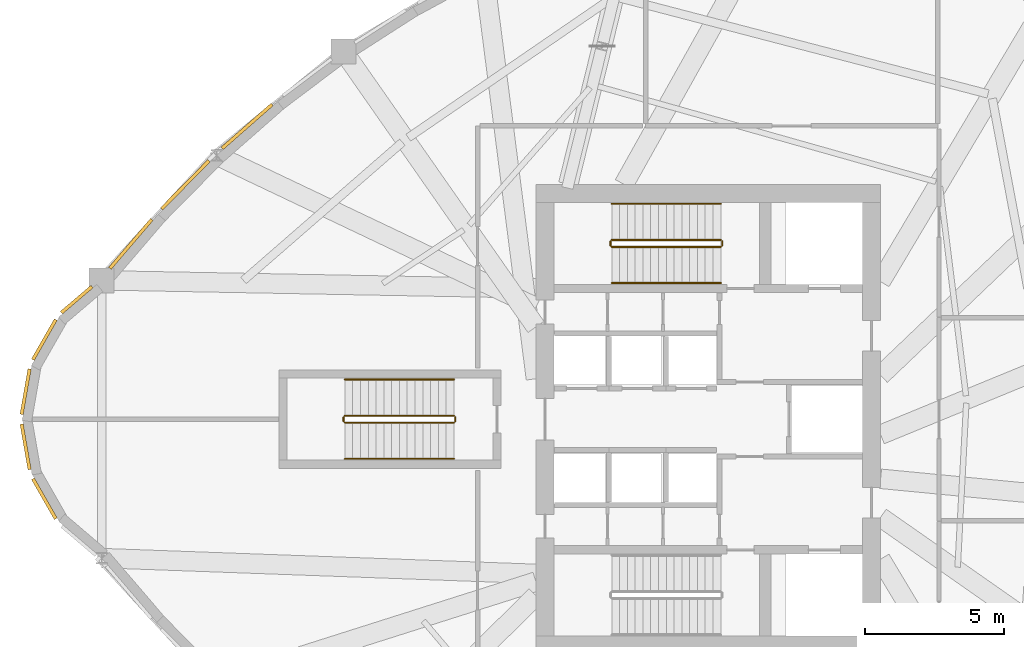
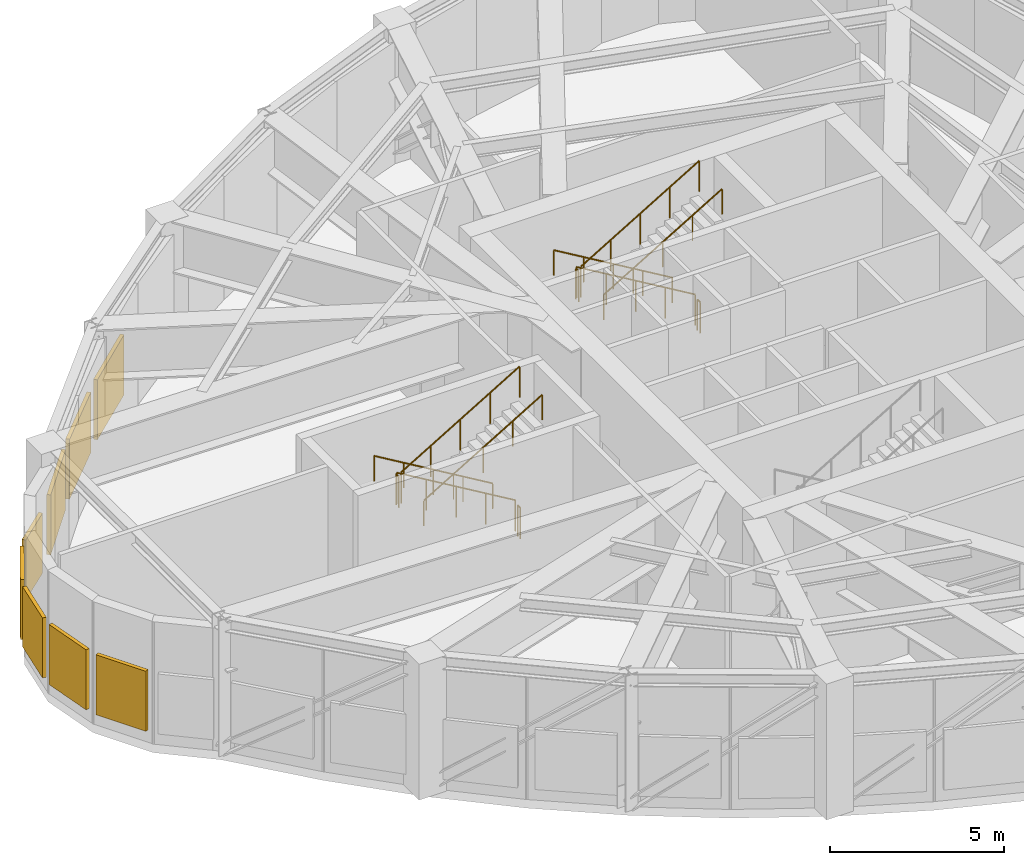
# One storey, part 8 of 9: 12 railings, 8 shading devices.
"""IFC4 building model written with IfcOpenShell, lengths in metres."""

from ifc_helpers import new_model, si_unit, direction, frame, origin, origin_2d, place, context, subcontext, project, spatial, rectangle, circle, extrude, source, transform, mapped, material, layer, layer_set, type_object, element, save


model = new_model("IFC4")

# Units and contexts
model_context = context("Model", 3, precision=1e-05, world=origin(), true_north=direction((0.0, 1.0)))
body_context = subcontext(model_context, "Body", "Model", "MODEL_VIEW")
ifc_project = project(units=[si_unit("LENGTHUNIT", "METRE"), si_unit("AREAUNIT", "SQUARE_METRE"), si_unit("VOLUMEUNIT", "CUBIC_METRE"), si_unit("PLANEANGLEUNIT", "RADIAN"), si_unit("MASSUNIT", "GRAM", prefix="KILO")], contexts=[model_context])

# Site, building, storey
site_placement = place(None, origin())
site = spatial("IfcSite", under=ifc_project, at=site_placement, CompositionType="ELEMENT")
building_placement = place(site_placement, origin())
building = spatial("IfcBuilding", under=site, at=building_placement, Name="Qafzar Sky-Pleat Residences", CompositionType="ELEMENT")
storey_placement = place(building_placement, frame((0.0, 0.0, 128.0)))
storey = spatial("IfcBuildingStorey", under=building, at=storey_placement, Name="L38", CompositionType="ELEMENT", Elevation=128.0)

# Shading devices
ifc_material_1 = material(Name="Anodised bronze aluminium acoustic louvre", Category="aluminium")
ifc_layer = layer(ifc_material_1, 0.1201171875)
ifc_layer_set = layer_set([ifc_layer], Name="Anodised bronze aluminium acoustic louvre")
shading_device_type = type_object("IfcShadingDeviceType", Name="SHD-LOUVRE-PLANT", PredefinedType="JALOUSIE", material=ifc_layer_set)
shared_shape_1 = source(origin(), body_context, "Body", "SweptSolid", [
    extrude(rectangle(XDim=1.44384765625, YDim=0.1201171875, at=origin_2d()), origin(), (0.0, 0.0, 1.0), 2.10009765625),
])
shading_device_1_placement = place(storey_placement, frame((7.631103515625, 30.3037109375, 0.449951171875), z_axis=(0.0, 0.0, 1.0), x_axis=(-0.761154082005, -0.648571093595, 0.0)))
element("IfcShadingDevice", 1, at=shading_device_1_placement, inside=storey, type_object=shading_device_type, Name="L38 Plant Acoustic Louvre 1", PredefinedType="JALOUSIE", context=body_context, shape_type="MappedRepresentation", body=[
    mapped(shared_shape_1, transform((0.0, 0.0, 0.0), x_axis=(1.0, 0.0, 0.0), y_axis=(0.0, 1.0, 0.0), z_axis=(0.0, 0.0, 1.0), scale=1.0)),
])
shared_shape_2 = source(origin(), body_context, "Body", "SweptSolid", [
    extrude(rectangle(XDim=1.658203125, YDim=0.1201171875, at=origin_2d()), origin(), (0.0, 0.0, 1.0), 2.10009765625),
])
for number, where, z_axis, x_axis, name in (
    (2, (6.4658203125, 28.861328125, 0.449951171875), (0.0, 0.0, 1.0), (-0.496024637538, -0.868308446898, 0.0), "L38 Plant Acoustic Louvre 2"),
    (3, (5.792236328125, 26.992919921875, 0.449951171875), (0.0, 0.0, 1.0), (-0.172169696941, -0.985067305038, 0.0), "L38 Plant Acoustic Louvre 3"),
    (4, (5.792236328125, 25.007080078125, 0.449951171875), (0.0, 0.0, 1.0), (0.172169696941, -0.985067305038, 0.0), "L38 Plant Acoustic Louvre 4"),
    (5, (6.4658203125, 23.138671875, 0.449951171875), (0.0, 0.0, 1.0), (0.496024637538, -0.868308446898, 0.0), "L38 Plant Acoustic Louvre 5"),
):
    element("IfcShadingDevice", number, at=place(storey_placement, frame(where, z_axis=z_axis, x_axis=x_axis)), inside=storey, type_object=shading_device_type, Name=name, PredefinedType="JALOUSIE", context=body_context, shape_type="MappedRepresentation", body=[
        mapped(shared_shape_2, transform((0.0, 0.0, 0.0), x_axis=(1.0, 0.0, 0.0), y_axis=(0.0, 1.0, 0.0), z_axis=(0.0, 0.0, 1.0), scale=1.0)),
    ])
shared_shape_3 = source(origin(), body_context, "Body", "SweptSolid", [
    extrude(rectangle(XDim=2.3916015625, YDim=0.1201171875, at=origin_2d()), origin(), (0.0, 0.0, 1.0), 2.10009765625),
])
shading_device_2_placement = place(storey_placement, frame((13.7587890625, 36.531494140625, 0.449951171875), z_axis=(0.0, 0.0, 1.0), x_axis=(-0.751446292476, -0.659794263027, 0.0)))
element("IfcShadingDevice", 6, at=shading_device_2_placement, inside=storey, type_object=shading_device_type, Name="L38 Plant Acoustic Louvre 46", PredefinedType="JALOUSIE", context=body_context, shape_type="MappedRepresentation", body=[
    mapped(shared_shape_3, transform((0.0, 0.0, 0.0), x_axis=(1.0, 0.0, 0.0), y_axis=(0.0, 1.0, 0.0), z_axis=(0.0, 0.0, 1.0), scale=1.0)),
])
shared_shape_4 = source(origin(), body_context, "Body", "SweptSolid", [
    extrude(rectangle(XDim=2.43115234375, YDim=0.1201171875, at=origin_2d()), origin(), (0.0, 0.0, 1.0), 2.10009765625),
])
shading_device_3_placement = place(storey_placement, frame((11.537109375, 34.432861328125, 0.449951171875), z_axis=(0.0, 0.0, 1.0), x_axis=(-0.70190494431, -0.712270629152, 0.0)))
element("IfcShadingDevice", 7, at=shading_device_3_placement, inside=storey, type_object=shading_device_type, Name="L38 Plant Acoustic Louvre 47", PredefinedType="JALOUSIE", context=body_context, shape_type="MappedRepresentation", body=[
    mapped(shared_shape_4, transform((0.0, 0.0, 0.0), x_axis=(1.0, 0.0, 0.0), y_axis=(0.0, 1.0, 0.0), z_axis=(0.0, 0.0, 1.0), scale=1.0)),
])
shared_shape_5 = source(origin(), body_context, "Body", "SweptSolid", [
    extrude(rectangle(XDim=2.314697265625, YDim=0.1201171875, at=origin_2d()), origin(), (0.0, 0.0, 1.0), 2.10009765625),
])
shading_device_4_placement = place(storey_placement, frame((9.577880859375, 32.30517578125, 0.449951171875), z_axis=(0.0, 0.0, 1.0), x_axis=(-0.650723061119, -0.759315150467, 0.0)))
element("IfcShadingDevice", 8, at=shading_device_4_placement, inside=storey, type_object=shading_device_type, Name="L38 Plant Acoustic Louvre 48", PredefinedType="JALOUSIE", context=body_context, shape_type="MappedRepresentation", body=[
    mapped(shared_shape_5, transform((0.0, 0.0, 0.0), x_axis=(1.0, 0.0, 0.0), y_axis=(0.0, 1.0, 0.0), z_axis=(0.0, 0.0, 1.0), scale=1.0)),
])

# Railings
ifc_material_2 = material(Name="Painted Steel S355 stair guardrail", Category="steel")
railing_type_1 = type_object("IfcRailingType", Name="RAIL-STAIR-GUARD", PredefinedType="GUARDRAIL", material=ifc_material_2)
shared_shape_6 = source(origin(), body_context, "Body", "SweptSolid", [
    extrude(circle(Radius=0.02392578125, at=origin_2d()), frame((0.0, 0.0, 1.076171875), z_axis=(0.0, -1.0, 0.0), x_axis=(1.0, 0.0, 0.0)), (0.0, 0.0, 1.0), 0.14990234375),
    extrude(circle(Radius=0.02099609375, at=origin_2d()), origin(), (0.0, 0.0, 1.0), 1.052001953125),
    extrude(circle(Radius=0.02099609375, at=origin_2d()), frame((0.0, -0.14990234375, 0.0)), (0.0, 0.0, 1.0), 1.052001953125),
])
for number, where, name in (
    (9, (26.830078125, 32.39990234375, 2.5), "L38 ST2 stair guard 2"),
    (10, (30.85009765625, 32.39990234375, 0.0), "L38 ST2 stair guard 4"),
    (11, (17.22998046875, 26.074951171875, 2.5), "L38 ST3 stair guard 2"),
    (12, (21.25, 26.074951171875, 0.0), "L38 ST3 stair guard 4"),
):
    element("IfcRailing", number, at=place(storey_placement, frame(where)), inside=storey, type_object=railing_type_1, Name=name, PredefinedType="GUARDRAIL", context=body_context, shape_type="MappedRepresentation", body=[
        mapped(shared_shape_6, transform((0.0, 0.0, 0.0), x_axis=(1.0, 0.0, 0.0), y_axis=(0.0, 1.0, 0.0), z_axis=(0.0, 0.0, 1.0), scale=1.0)),
    ])
shared_shape_7 = source(origin(), body_context, "Body", "SweptSolid", [
    extrude(circle(Radius=0.02392578125, at=origin_2d()), frame((0.0, 0.0, 1.076171875), z_axis=(-0.859310244771, 0.0, 0.511454693235), x_axis=(0.0, -1.0, 0.0)), (0.0, 0.0, 1.0), 4.56201171875),
    extrude(circle(Radius=0.02099609375, at=origin_2d()), origin(), (0.0, 0.0, 1.0), 1.052001953125),
    extrude(circle(Radius=0.02099609375, at=origin_2d()), frame((-0.97998046875, 0.0, 0.583251953125)), (0.0, 0.0, 1.0), 1.052001953125),
    extrude(circle(Radius=0.02099609375, at=origin_2d()), frame((-1.9599609375, 0.0, 1.16650390625)), (0.0, 0.0, 1.0), 1.052001953125),
    extrude(circle(Radius=0.02099609375, at=origin_2d()), frame((-2.940185546875, 0.0, 1.75)), (0.0, 0.0, 1.0), 1.052001953125),
    extrude(circle(Radius=0.02099609375, at=origin_2d()), frame((-3.920166015625, 0.0, 2.333251953125)), (0.0, 0.0, 1.0), 1.052001953125),
])
railing_1_placement = place(storey_placement, frame((30.800048828125, 32.449951171875, 0.166748046875)))
element("IfcRailing", 13, at=railing_1_placement, inside=storey, type_object=railing_type_1, Name="L38 ST2 stair guard 1", PredefinedType="GUARDRAIL", context=body_context, shape_type="MappedRepresentation", body=[
    mapped(shared_shape_7, transform((0.0, 0.0, 0.0), x_axis=(1.0, 0.0, 0.0), y_axis=(0.0, 1.0, 0.0), z_axis=(0.0, 0.0, 1.0), scale=1.0)),
])
shared_shape_8 = source(origin(), body_context, "Body", "SweptSolid", [
    extrude(circle(Radius=0.02392578125, at=origin_2d()), frame((0.0, 0.0, 1.076171875), z_axis=(0.859310244771, 0.0, 0.511454693235), x_axis=(0.0, 1.0, 0.0)), (0.0, 0.0, 1.0), 4.56201171875),
    extrude(circle(Radius=0.02099609375, at=origin_2d()), origin(), (0.0, 0.0, 1.0), 1.052001953125),
    extrude(circle(Radius=0.02099609375, at=origin_2d()), frame((0.97998046875, 0.0, 0.583251953125)), (0.0, 0.0, 1.0), 1.052001953125),
    extrude(circle(Radius=0.02099609375, at=origin_2d()), frame((1.9599609375, 0.0, 1.16650390625)), (0.0, 0.0, 1.0), 1.052001953125),
    extrude(circle(Radius=0.02099609375, at=origin_2d()), frame((2.940185546875, 0.0, 1.75)), (0.0, 0.0, 1.0), 1.052001953125),
    extrude(circle(Radius=0.02099609375, at=origin_2d()), frame((3.920166015625, 0.0, 2.333251953125)), (0.0, 0.0, 1.0), 1.052001953125),
])
railing_2_placement = place(storey_placement, frame((26.8798828125, 32.199951171875, 2.666748046875)))
element("IfcRailing", 14, at=railing_2_placement, inside=storey, type_object=railing_type_1, Name="L38 ST2 stair guard 3", PredefinedType="GUARDRAIL", context=body_context, shape_type="MappedRepresentation", body=[
    mapped(shared_shape_8, transform((0.0, 0.0, 0.0), x_axis=(1.0, 0.0, 0.0), y_axis=(0.0, 1.0, 0.0), z_axis=(0.0, 0.0, 1.0), scale=1.0)),
])
ifc_material_3 = material(Name="Brushed stainless steel handrail", Category="steel")
railing_type_2 = type_object("IfcRailingType", Name="RAIL-STAIR-HAND", PredefinedType="HANDRAIL", material=ifc_material_3)
shared_shape_9 = source(origin(), body_context, "Body", "SweptSolid", [
    extrude(circle(Radius=0.02392578125, at=origin_2d()), frame((0.0, 0.0, 0.8759765625), z_axis=(-0.859310244771, 0.0, 0.511454693235), x_axis=(0.0, -1.0, 0.0)), (0.0, 0.0, 1.0), 4.56201171875),
    extrude(circle(Radius=0.02099609375, at=origin_2d()), origin(), (0.0, 0.0, 1.0), 0.851806640625),
    extrude(circle(Radius=0.02099609375, at=origin_2d()), frame((-0.97998046875, 0.0, 0.583251953125)), (0.0, 0.0, 1.0), 0.851806640625),
    extrude(circle(Radius=0.02099609375, at=origin_2d()), frame((-1.9599609375, 0.0, 1.16650390625)), (0.0, 0.0, 1.0), 0.851806640625),
    extrude(circle(Radius=0.02099609375, at=origin_2d()), frame((-2.940185546875, 0.0, 1.75)), (0.0, 0.0, 1.0), 0.851806640625),
    extrude(circle(Radius=0.02099609375, at=origin_2d()), frame((-3.920166015625, 0.0, 2.333251953125)), (0.0, 0.0, 1.0), 0.851806640625),
])
railing_3_placement = place(storey_placement, frame((30.800048828125, 33.75, 0.166748046875)))
element("IfcRailing", 15, at=railing_3_placement, inside=storey, type_object=railing_type_2, Name="L38 ST2 stair handrail 1", PredefinedType="HANDRAIL", context=body_context, shape_type="MappedRepresentation", body=[
    mapped(shared_shape_9, transform((0.0, 0.0, 0.0), x_axis=(1.0, 0.0, 0.0), y_axis=(0.0, 1.0, 0.0), z_axis=(0.0, 0.0, 1.0), scale=1.0)),
])
shared_shape_10 = source(origin(), body_context, "Body", "SweptSolid", [
    extrude(circle(Radius=0.02392578125, at=origin_2d()), frame((0.0, 0.0, 0.8759765625), z_axis=(0.859310244771, 0.0, 0.511454693235), x_axis=(0.0, 1.0, 0.0)), (0.0, 0.0, 1.0), 4.56201171875),
    extrude(circle(Radius=0.02099609375, at=origin_2d()), origin(), (0.0, 0.0, 1.0), 0.851806640625),
    extrude(circle(Radius=0.02099609375, at=origin_2d()), frame((0.97998046875, 0.0, 0.583251953125)), (0.0, 0.0, 1.0), 0.851806640625),
    extrude(circle(Radius=0.02099609375, at=origin_2d()), frame((1.9599609375, 0.0, 1.16650390625)), (0.0, 0.0, 1.0), 0.851806640625),
    extrude(circle(Radius=0.02099609375, at=origin_2d()), frame((2.940185546875, 0.0, 1.75)), (0.0, 0.0, 1.0), 0.851806640625),
    extrude(circle(Radius=0.02099609375, at=origin_2d()), frame((3.920166015625, 0.0, 2.333251953125)), (0.0, 0.0, 1.0), 0.851806640625),
])
railing_4_placement = place(storey_placement, frame((26.8798828125, 30.89990234375, 2.666748046875)))
element("IfcRailing", 16, at=railing_4_placement, inside=storey, type_object=railing_type_2, Name="L38 ST2 stair handrail 2", PredefinedType="HANDRAIL", context=body_context, shape_type="MappedRepresentation", body=[
    mapped(shared_shape_10, transform((0.0, 0.0, 0.0), x_axis=(1.0, 0.0, 0.0), y_axis=(0.0, 1.0, 0.0), z_axis=(0.0, 0.0, 1.0), scale=1.0)),
])
shared_shape_11 = source(origin(), body_context, "Body", "SweptSolid", [
    extrude(circle(Radius=0.02392578125, at=origin_2d()), frame((0.0, 0.0, 1.076171875), z_axis=(-0.859296244711, 0.0, 0.511478214419), x_axis=(0.0, -1.0, 0.0)), (0.0, 0.0, 1.0), 4.561767578125),
    extrude(circle(Radius=0.02099609375, at=origin_2d()), origin(), (0.0, 0.0, 1.0), 1.052001953125),
    extrude(circle(Radius=0.02099609375, at=origin_2d()), frame((-0.97998046875, 0.0, 0.583251953125)), (0.0, 0.0, 1.0), 1.052001953125),
    extrude(circle(Radius=0.02099609375, at=origin_2d()), frame((-1.9599609375, 0.0, 1.16650390625)), (0.0, 0.0, 1.0), 1.052001953125),
    extrude(circle(Radius=0.02099609375, at=origin_2d()), frame((-2.93994140625, 0.0, 1.75)), (0.0, 0.0, 1.0), 1.052001953125),
    extrude(circle(Radius=0.02099609375, at=origin_2d()), frame((-3.919921875, 0.0, 2.333251953125)), (0.0, 0.0, 1.0), 1.052001953125),
])
railing_5_placement = place(storey_placement, frame((21.199951171875, 26.125, 0.166748046875)))
element("IfcRailing", 17, at=railing_5_placement, inside=storey, type_object=railing_type_1, Name="L38 ST3 stair guard 1", PredefinedType="GUARDRAIL", context=body_context, shape_type="MappedRepresentation", body=[
    mapped(shared_shape_11, transform((0.0, 0.0, 0.0), x_axis=(1.0, 0.0, 0.0), y_axis=(0.0, 1.0, 0.0), z_axis=(0.0, 0.0, 1.0), scale=1.0)),
])
shared_shape_12 = source(origin(), body_context, "Body", "SweptSolid", [
    extrude(circle(Radius=0.02392578125, at=origin_2d()), frame((0.0, 0.0, 1.076171875), z_axis=(0.859296244711, 0.0, 0.511478214419), x_axis=(0.0, 1.0, 0.0)), (0.0, 0.0, 1.0), 4.561767578125),
    extrude(circle(Radius=0.02099609375, at=origin_2d()), origin(), (0.0, 0.0, 1.0), 1.052001953125),
    extrude(circle(Radius=0.02099609375, at=origin_2d()), frame((0.97998046875, 0.0, 0.583251953125)), (0.0, 0.0, 1.0), 1.052001953125),
    extrude(circle(Radius=0.02099609375, at=origin_2d()), frame((1.9599609375, 0.0, 1.16650390625)), (0.0, 0.0, 1.0), 1.052001953125),
    extrude(circle(Radius=0.02099609375, at=origin_2d()), frame((2.93994140625, 0.0, 1.75)), (0.0, 0.0, 1.0), 1.052001953125),
    extrude(circle(Radius=0.02099609375, at=origin_2d()), frame((3.919921875, 0.0, 2.333251953125)), (0.0, 0.0, 1.0), 1.052001953125),
])
railing_6_placement = place(storey_placement, frame((17.280029296875, 25.875, 2.666748046875)))
element("IfcRailing", 18, at=railing_6_placement, inside=storey, type_object=railing_type_1, Name="L38 ST3 stair guard 3", PredefinedType="GUARDRAIL", context=body_context, shape_type="MappedRepresentation", body=[
    mapped(shared_shape_12, transform((0.0, 0.0, 0.0), x_axis=(1.0, 0.0, 0.0), y_axis=(0.0, 1.0, 0.0), z_axis=(0.0, 0.0, 1.0), scale=1.0)),
])
shared_shape_13 = source(origin(), body_context, "Body", "SweptSolid", [
    extrude(circle(Radius=0.02392578125, at=origin_2d()), frame((0.0, 0.0, 0.8759765625), z_axis=(-0.859296244711, 0.0, 0.511478214419), x_axis=(0.0, -1.0, 0.0)), (0.0, 0.0, 1.0), 4.561767578125),
    extrude(circle(Radius=0.02099609375, at=origin_2d()), origin(), (0.0, 0.0, 1.0), 0.851806640625),
    extrude(circle(Radius=0.02099609375, at=origin_2d()), frame((-0.97998046875, 0.0, 0.583251953125)), (0.0, 0.0, 1.0), 0.851806640625),
    extrude(circle(Radius=0.02099609375, at=origin_2d()), frame((-1.9599609375, 0.0, 1.16650390625)), (0.0, 0.0, 1.0), 0.851806640625),
    extrude(circle(Radius=0.02099609375, at=origin_2d()), frame((-2.93994140625, 0.0, 1.75)), (0.0, 0.0, 1.0), 0.851806640625),
    extrude(circle(Radius=0.02099609375, at=origin_2d()), frame((-3.919921875, 0.0, 2.333251953125)), (0.0, 0.0, 1.0), 0.851806640625),
])
railing_7_placement = place(storey_placement, frame((21.199951171875, 27.425048828125, 0.166748046875)))
element("IfcRailing", 19, at=railing_7_placement, inside=storey, type_object=railing_type_2, Name="L38 ST3 stair handrail 1", PredefinedType="HANDRAIL", context=body_context, shape_type="MappedRepresentation", body=[
    mapped(shared_shape_13, transform((0.0, 0.0, 0.0), x_axis=(1.0, 0.0, 0.0), y_axis=(0.0, 1.0, 0.0), z_axis=(0.0, 0.0, 1.0), scale=1.0)),
])
shared_shape_14 = source(origin(), body_context, "Body", "SweptSolid", [
    extrude(circle(Radius=0.02392578125, at=origin_2d()), frame((0.0, 0.0, 0.8759765625), z_axis=(0.859296244711, 0.0, 0.511478214419), x_axis=(0.0, 1.0, 0.0)), (0.0, 0.0, 1.0), 4.561767578125),
    extrude(circle(Radius=0.02099609375, at=origin_2d()), origin(), (0.0, 0.0, 1.0), 0.851806640625),
    extrude(circle(Radius=0.02099609375, at=origin_2d()), frame((0.97998046875, 0.0, 0.583251953125)), (0.0, 0.0, 1.0), 0.851806640625),
    extrude(circle(Radius=0.02099609375, at=origin_2d()), frame((1.9599609375, 0.0, 1.16650390625)), (0.0, 0.0, 1.0), 0.851806640625),
    extrude(circle(Radius=0.02099609375, at=origin_2d()), frame((2.93994140625, 0.0, 1.75)), (0.0, 0.0, 1.0), 0.851806640625),
    extrude(circle(Radius=0.02099609375, at=origin_2d()), frame((3.919921875, 0.0, 2.333251953125)), (0.0, 0.0, 1.0), 0.851806640625),
])
railing_8_placement = place(storey_placement, frame((17.280029296875, 24.574951171875, 2.666748046875)))
element("IfcRailing", 20, at=railing_8_placement, inside=storey, type_object=railing_type_2, Name="L38 ST3 stair handrail 2", PredefinedType="HANDRAIL", context=body_context, shape_type="MappedRepresentation", body=[
    mapped(shared_shape_14, transform((0.0, 0.0, 0.0), x_axis=(1.0, 0.0, 0.0), y_axis=(0.0, 1.0, 0.0), z_axis=(0.0, 0.0, 1.0), scale=1.0)),
])

save(model, "model.ifc")
